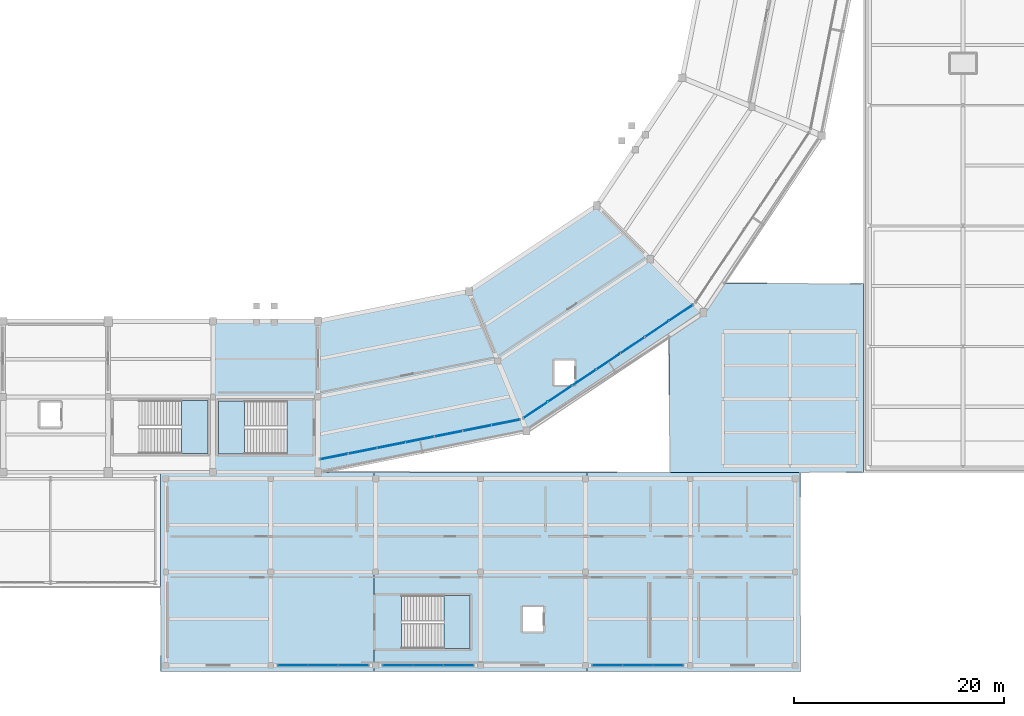
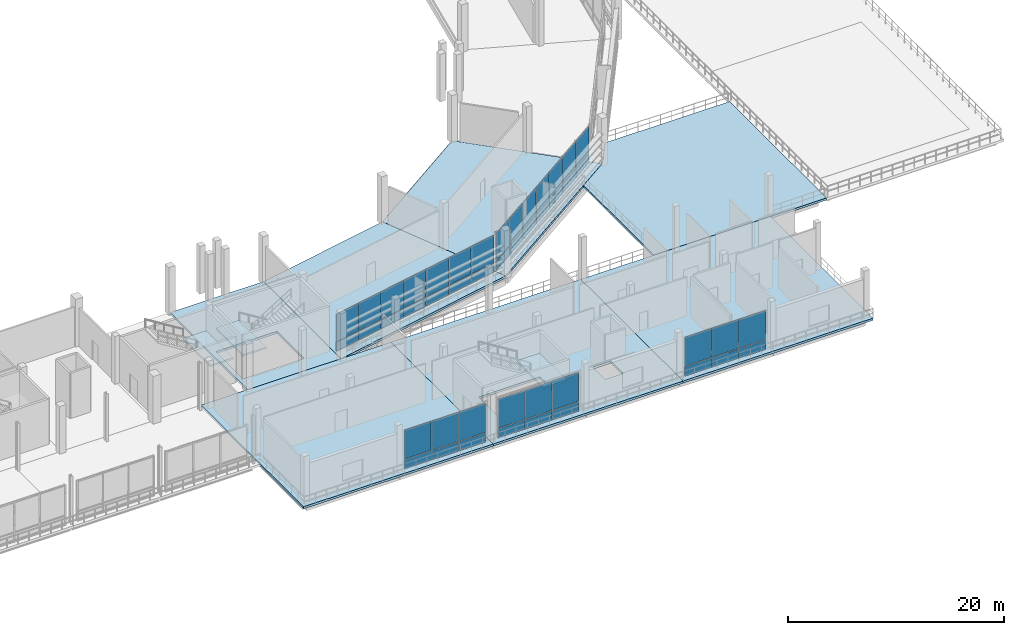
# One storey, part 63 of 111: 46 plates, 10 slabs, 8 elements without a shape of their own.
"""IFC4 building model written with IfcOpenShell, lengths in metres."""

from ifc_helpers import new_model, si_unit, direction, frame, origin, origin_2d, place, context, subcontext, project, spatial, polyline, rectangle, outline, extrude, material, layer, layer_set, type_object, element, aggregate, save


model = new_model("IFC4")

# Units and contexts
model_context = context("Model", 3, precision=1e-05, world=origin(), true_north=direction((0.0, 1.0)))
body_context = subcontext(model_context, "Body", "Model", "MODEL_VIEW")
ifc_project = project(units=[si_unit("LENGTHUNIT", "METRE"), si_unit("AREAUNIT", "SQUARE_METRE"), si_unit("VOLUMEUNIT", "CUBIC_METRE"), si_unit("PLANEANGLEUNIT", "RADIAN"), si_unit("MASSUNIT", "GRAM", prefix="KILO")], contexts=[model_context])

# Site, building, storey
site_placement = place(None, origin())
site = spatial("IfcSite", under=ifc_project, at=site_placement, CompositionType="ELEMENT")
building_placement = place(site_placement, origin())
building = spatial("IfcBuilding", under=site, at=building_placement, Name="Candeia Ridge Stadium", CompositionType="ELEMENT")
storey_placement = place(building_placement, frame((0.0, 0.0, 16.199951171875)))
storey = spatial("IfcBuildingStorey", under=building, at=storey_placement, Name="L03", CompositionType="ELEMENT", Elevation=16.199951171875)

# Stair, slab
ifc_material_1 = material(Name="Concrete C40/50", Category="concrete")
stair_type = type_object("IfcStairType", Name="Enclosed Core Half-Turn Stair 2450", PredefinedType="HALF_TURN_STAIR", material=ifc_material_1)
stair_1_placement = place(storey_placement, origin())
stair_1 = element("IfcStair", 1, at=stair_1_placement, inside=storey, type_object=stair_type, Name="L03 Enclosed exit stair ST03", PredefinedType="HALF_TURN_STAIR")
ifc_layer_1 = layer(ifc_material_1, 0.199951171875, Name="Concrete C40/50", Category="concrete")
ifc_layer_set_1 = layer_set([ifc_layer_1], Name="Concrete C40/50")
slab_type_1 = type_object("IfcSlabType", Name="Core Stair Landing Slab 200", PredefinedType="LANDING", material=ifc_layer_set_1)
slab_1_placement = place(storey_placement, frame((0.0, 0.0, 2.5)))
slab_1 = element("IfcSlab", 2, at=slab_1_placement, type_object=slab_type_1, Name="ST03 landing 1", PredefinedType="LANDING", context=body_context, shape_type="SweptSolid", body=[
    extrude(outline(polyline([(133.989990234375, 25.800048828125), (131.5, 25.800048828125), (131.5, 20.75), (133.989990234375, 20.75), (133.989990234375, 25.800048828125)])), origin(), (0.0, 0.0, 1.0), 0.199951171875),
])
aggregate(stair_1, [slab_1])

stair_2_placement = place(storey_placement, origin())
stair_2 = element("IfcStair", 3, at=stair_2_placement, inside=storey, type_object=stair_type, Name="L03 Enclosed exit stair ST12", PredefinedType="HALF_TURN_STAIR")
slab_2_placement = place(storey_placement, frame((0.0, 0.0, 2.5)))
slab_2 = element("IfcSlab", 4, at=slab_2_placement, type_object=slab_type_1, Name="ST12 landing 1", PredefinedType="LANDING", context=body_context, shape_type="SweptSolid", body=[
    extrude(outline(polyline([(128.010009765625, 20.800048828125), (130.5, 20.800048828125), (130.5, 25.85009765625), (128.010009765625, 25.85009765625), (128.010009765625, 20.800048828125)])), origin(), (0.0, 0.0, 1.0), 0.199951171875),
])
aggregate(stair_2, [slab_2])

stair_3_placement = place(storey_placement, origin())
stair_3 = element("IfcStair", 5, at=stair_3_placement, inside=storey, type_object=stair_type, Name="L03 Enclosed exit stair ST14", PredefinedType="HALF_TURN_STAIR")
slab_3_placement = place(storey_placement, frame((0.0, 0.0, 2.5)))
slab_3 = element("IfcSlab", 6, at=slab_3_placement, type_object=slab_type_1, Name="ST14 landing 1", PredefinedType="LANDING", context=body_context, shape_type="SweptSolid", body=[
    extrude(outline(polyline([(153.010009765625, 2.199951171875), (155.5, 2.199951171875), (155.5, 7.25), (153.010009765625, 7.25), (153.010009765625, 2.199951171875)])), origin(), (0.0, 0.0, 1.0), 0.199951171875),
])
aggregate(stair_3, [slab_3])

# Slabs
ifc_layer_2 = layer(ifc_material_1, 0.25, Name="Concrete C40/50", Category="concrete")
ifc_layer_set_2 = layer_set([ifc_layer_2], Name="Concrete C40/50")
slab_type_2 = type_object("IfcSlabType", Name="Hospitality & Museum Slab 250", PredefinedType="FLOOR", material=ifc_layer_set_2)
slab_4_placement = place(storey_placement, frame((0.0, 0.0, -0.25)))
element("IfcSlab", 7, at=slab_4_placement, inside=storey, type_object=slab_type_2, Name="Bowl concourse sector slab L03 bay 25 SLB-L03-0133", PredefinedType="FLOOR", context=body_context, shape_type="SweptSolid", body=[
    extrude(outline(polyline([(141.0, 33.39990234375), (141.0, 19.0), (131.0, 19.0), (131.0, 33.39990234375), (141.0, 33.39990234375)]), holes=[polyline([(138.04931640625, 25.800048828125), (131.5, 25.800048828125), (131.5, 20.75), (138.04931640625, 20.75), (138.04931640625, 25.800048828125)])]), origin(), (0.0, 0.0, 1.0), 0.25),
])
slab_5_placement = place(storey_placement, frame((0.0, 0.0, -0.25)))
element("IfcSlab", 8, at=slab_5_placement, inside=storey, type_object=slab_type_2, Name="Bowl concourse sector slab L03 bay 26 SLB-L03-0134", PredefinedType="FLOOR", context=body_context, shape_type="SweptSolid", body=[
    extrude(outline(polyline([(155.388916015625, 36.26220703125), (160.8994140625, 22.958251953125), (141.0, 19.0), (141.0, 33.39990234375), (155.388916015625, 36.26220703125)])), origin(), (0.0, 0.0, 1.0), 0.25),
])
slab_6_placement = place(storey_placement, frame((0.0, 0.0, -0.25)))
element("IfcSlab", 9, at=slab_6_placement, inside=storey, type_object=slab_type_2, Name="Bowl concourse sector slab L03 bay 27 SLB-L03-0135", PredefinedType="FLOOR", context=body_context, shape_type="SweptSolid", body=[
    extrude(outline(polyline([(167.553955078125, 44.390625), (177.736328125, 34.208251953125), (160.8994140625, 22.958251953125), (155.388916015625, 36.26220703125), (167.553955078125, 44.390625)]), holes=[polyline([(165.449951171875, 27.35009765625), (165.449951171875, 29.64990234375), (163.550048828125, 29.64990234375), (163.550048828125, 27.35009765625), (165.449951171875, 27.35009765625)])]), origin(), (0.0, 0.0, 1.0), 0.25),
])
slab_7_placement = place(storey_placement, frame((0.0, 0.0, -0.25)))
element("IfcSlab", 10, at=slab_7_placement, inside=storey, type_object=slab_type_2, Name="Wing floor slab se_s SLB-L03-0285", PredefinedType="FLOOR", context=body_context, shape_type="SweptSolid", body=[
    extrude(outline(polyline([(126.0, 0.0), (126.0, 19.0), (146.333251953125, 19.0), (146.333251953125, 0.0), (126.0, 0.0)])), origin(), (0.0, 0.0, 1.0), 0.25),
])
slab_8_placement = place(storey_placement, frame((0.0, 0.0, -0.25)))
element("IfcSlab", 11, at=slab_8_placement, inside=storey, type_object=slab_type_2, Name="Wing floor slab se_s SLB-L03-0286", PredefinedType="FLOOR", context=body_context, shape_type="SweptSolid", body=[
    extrude(outline(polyline([(146.333251953125, 0.0), (146.333251953125, 19.0), (166.666748046875, 19.0), (166.666748046875, 0.0), (146.333251953125, 0.0)]), holes=[polyline([(148.95068359375, 2.199951171875), (155.5, 2.199951171875), (155.5, 7.25), (148.95068359375, 7.25), (148.95068359375, 2.199951171875)]), polyline([(162.449951171875, 3.85009765625), (162.449951171875, 6.14990234375), (160.550048828125, 6.14990234375), (160.550048828125, 3.85009765625), (162.449951171875, 3.85009765625)])]), origin(), (0.0, 0.0, 1.0), 0.25),
])
slab_9_placement = place(storey_placement, frame((0.0, 0.0, -0.25)))
element("IfcSlab", 12, at=slab_9_placement, inside=storey, type_object=slab_type_2, Name="Wing floor slab se_s SLB-L03-0287", PredefinedType="FLOOR", context=body_context, shape_type="SweptSolid", body=[
    extrude(outline(polyline([(166.666748046875, 0.0), (166.666748046875, 19.0), (187.0, 19.0), (187.0, 0.0), (166.666748046875, 0.0)])), origin(), (0.0, 0.0, 1.0), 0.25),
])
slab_10_placement = place(storey_placement, frame((0.0, 0.0, -0.25)))
element("IfcSlab", 13, at=slab_10_placement, inside=storey, type_object=slab_type_2, Name="Wing floor slab sp_se SLB-L03-0296", PredefinedType="FLOOR", context=body_context, shape_type="SweptSolid", body=[
    extrude(outline(polyline([(193.0, 19.0), (174.5, 19.0), (174.5, 32.039794921875), (177.772216796875, 34.226318359375), (177.772705078125, 34.2265625), (177.773193359375, 34.226806640625), (177.7734375, 34.227294921875), (177.773681640625, 34.227783203125), (179.626220703125, 37.0), (193.0, 37.0), (193.0, 19.0)])), origin(), (0.0, 0.0, 1.0), 0.25),
])

# Curtain wall, plates
ifc_material_2 = material(Name="Aluminium Anodized Warm Bronze", Category="aluminium")
curtain_wall_type_1 = type_object("IfcCurtainWallType", Name="Concourse Recessed Unitised Curtain Wall", PredefinedType="NOTDEFINED", material=ifc_material_2)
curtain_wall_1_placement = place(storey_placement, origin())
curtain_wall_1 = element("IfcCurtainWall", 14, at=curtain_wall_1_placement, inside=storey, type_object=curtain_wall_type_1, Name="Unitised curtain wall CW-BWL-L03-25", PredefinedType="NOTDEFINED")
ifc_material_3 = material(Name="Aluminium Insulated Spandrel", Category="aluminium")
ifc_layer_3 = layer(ifc_material_3, 0.06494140625, Name="Aluminium Insulated Spandrel", Category="aluminium")
ifc_layer_set_3 = layer_set([ifc_layer_3], Name="Aluminium Insulated Spandrel")
plate_type_1 = type_object("IfcPlateType", Name="Insulated Bronze Spandrel Panel SP1", PredefinedType="CURTAIN_PANEL", material=ifc_layer_set_3)
plate_1_placement = place(storey_placement, frame((142.539794921875, 20.50634765625, 0.0400390625), z_axis=(0.0, 0.0, 1.0), x_axis=(0.980785280696, 0.195090320544, 0.0)))
plate_1 = element("IfcPlate", 15, at=plate_1_placement, type_object=plate_type_1, Name="Curtain wall spandrel panel CW-BWL-L03-25-SP0", PredefinedType="CURTAIN_PANEL", context=body_context, shape_type="SweptSolid", body=[
    extrude(rectangle(XDim=2.710205078125, YDim=0.06494140625, at=origin_2d()), origin(), (0.0, 0.0, 1.0), 0.981201171875),
])
plate_2_placement = place(storey_placement, frame((145.2666015625, 21.048583984375, 0.0400390625), z_axis=(0.0, 0.0, 1.0), x_axis=(0.980785280696, 0.195090320544, 0.0)))
plate_2 = element("IfcPlate", 16, at=plate_2_placement, type_object=plate_type_1, Name="Curtain wall spandrel panel CW-BWL-L03-25-SP1", PredefinedType="CURTAIN_PANEL", context=body_context, shape_type="SweptSolid", body=[
    extrude(rectangle(XDim=2.710205078125, YDim=0.06494140625, at=origin_2d()), origin(), (0.0, 0.0, 1.0), 0.981201171875),
])
plate_3_placement = place(storey_placement, frame((147.993408203125, 21.591064453125, 0.0400390625), z_axis=(0.0, 0.0, 1.0), x_axis=(0.980785280696, 0.195090320544, 0.0)))
plate_3 = element("IfcPlate", 17, at=plate_3_placement, type_object=plate_type_1, Name="Curtain wall spandrel panel CW-BWL-L03-25-SP2", PredefinedType="CURTAIN_PANEL", context=body_context, shape_type="SweptSolid", body=[
    extrude(rectangle(XDim=2.710205078125, YDim=0.06494140625, at=origin_2d()), origin(), (0.0, 0.0, 1.0), 0.981201171875),
])
plate_4_placement = place(storey_placement, frame((150.72021484375, 22.13330078125, 0.0400390625), z_axis=(0.0, 0.0, 1.0), x_axis=(0.980785280696, 0.195090320544, 0.0)))
plate_4 = element("IfcPlate", 18, at=plate_4_placement, type_object=plate_type_1, Name="Curtain wall spandrel panel CW-BWL-L03-25-SP3", PredefinedType="CURTAIN_PANEL", context=body_context, shape_type="SweptSolid", body=[
    extrude(rectangle(XDim=2.710205078125, YDim=0.06494140625, at=origin_2d()), origin(), (0.0, 0.0, 1.0), 0.981201171875),
])
plate_5_placement = place(storey_placement, frame((153.447021484375, 22.67578125, 0.0400390625), z_axis=(0.0, 0.0, 1.0), x_axis=(0.980785280696, 0.195090320544, 0.0)))
plate_5 = element("IfcPlate", 19, at=plate_5_placement, type_object=plate_type_1, Name="Curtain wall spandrel panel CW-BWL-L03-25-SP4", PredefinedType="CURTAIN_PANEL", context=body_context, shape_type="SweptSolid", body=[
    extrude(rectangle(XDim=2.710205078125, YDim=0.06494140625, at=origin_2d()), origin(), (0.0, 0.0, 1.0), 0.981201171875),
])
plate_6_placement = place(storey_placement, frame((156.173583984375, 23.21826171875, 0.0400390625), z_axis=(0.0, 0.0, 1.0), x_axis=(0.980785280696, 0.195090320544, 0.0)))
plate_6 = element("IfcPlate", 20, at=plate_6_placement, type_object=plate_type_1, Name="Curtain wall spandrel panel CW-BWL-L03-25-SP5", PredefinedType="CURTAIN_PANEL", context=body_context, shape_type="SweptSolid", body=[
    extrude(rectangle(XDim=2.710205078125, YDim=0.06494140625, at=origin_2d()), origin(), (0.0, 0.0, 1.0), 0.981201171875),
])
plate_7_placement = place(storey_placement, frame((158.900390625, 23.760498046875, 0.0400390625), z_axis=(0.0, 0.0, 1.0), x_axis=(0.980785280696, 0.195090320544, 0.0)))
plate_7 = element("IfcPlate", 21, at=plate_7_placement, type_object=plate_type_1, Name="Curtain wall spandrel panel CW-BWL-L03-25-SP6", PredefinedType="CURTAIN_PANEL", context=body_context, shape_type="SweptSolid", body=[
    extrude(rectangle(XDim=2.710205078125, YDim=0.06494140625, at=origin_2d()), origin(), (0.0, 0.0, 1.0), 0.981201171875),
])

curtain_wall_2_placement = place(storey_placement, origin())
curtain_wall_2 = element("IfcCurtainWall", 22, at=curtain_wall_2_placement, inside=storey, type_object=curtain_wall_type_1, Name="Unitised curtain wall CW-BWL-L03-26", PredefinedType="NOTDEFINED")
ifc_layer_4 = layer(ifc_material_3, 0.06494140625, Name="Aluminium Insulated Spandrel", Category="aluminium")
ifc_layer_set_4 = layer_set([ifc_layer_4], Name="Aluminium Insulated Spandrel")
plate_type_2 = type_object("IfcPlateType", Name="Insulated Bronze Spandrel Panel SP2", PredefinedType="CURTAIN_PANEL", material=ifc_layer_set_4)
plate_8_placement = place(storey_placement, frame((161.745849609375, 24.939208984375, 0.0400390625), z_axis=(0.0, 0.0, 1.0), x_axis=(0.831468800789, 0.555571447533, 0.0)))
plate_8 = element("IfcPlate", 23, at=plate_8_placement, type_object=plate_type_2, Name="Curtain wall spandrel panel CW-BWL-L03-26-SP0", PredefinedType="CURTAIN_PANEL", context=body_context, shape_type="SweptSolid", body=[
    extrude(rectangle(XDim=2.710205078125, YDim=0.06494140625, at=origin_2d()), origin(), (0.0, 0.0, 1.0), 0.97119140625),
])
plate_9_placement = place(storey_placement, frame((164.057373046875, 26.48388671875, 0.0400390625), z_axis=(0.0, 0.0, 1.0), x_axis=(0.831468800789, 0.555571447533, 0.0)))
plate_9 = element("IfcPlate", 24, at=plate_9_placement, type_object=plate_type_2, Name="Curtain wall spandrel panel CW-BWL-L03-26-SP1", PredefinedType="CURTAIN_PANEL", context=body_context, shape_type="SweptSolid", body=[
    extrude(rectangle(XDim=2.710205078125, YDim=0.06494140625, at=origin_2d()), origin(), (0.0, 0.0, 1.0), 0.97119140625),
])
plate_10_placement = place(storey_placement, frame((166.369140625, 28.0283203125, 0.0400390625), z_axis=(0.0, 0.0, 1.0), x_axis=(0.831468800789, 0.555571447533, 0.0)))
plate_10 = element("IfcPlate", 25, at=plate_10_placement, type_object=plate_type_2, Name="Curtain wall spandrel panel CW-BWL-L03-26-SP2", PredefinedType="CURTAIN_PANEL", context=body_context, shape_type="SweptSolid", body=[
    extrude(rectangle(XDim=2.710205078125, YDim=0.06494140625, at=origin_2d()), origin(), (0.0, 0.0, 1.0), 0.97119140625),
])
plate_11_placement = place(storey_placement, frame((168.6806640625, 29.572998046875, 0.0400390625), z_axis=(0.0, 0.0, 1.0), x_axis=(0.831468800789, 0.555571447533, 0.0)))
plate_11 = element("IfcPlate", 26, at=plate_11_placement, type_object=plate_type_2, Name="Curtain wall spandrel panel CW-BWL-L03-26-SP3", PredefinedType="CURTAIN_PANEL", context=body_context, shape_type="SweptSolid", body=[
    extrude(rectangle(XDim=2.710205078125, YDim=0.06494140625, at=origin_2d()), origin(), (0.0, 0.0, 1.0), 0.97119140625),
])
plate_12_placement = place(storey_placement, frame((170.9921875, 31.117431640625, 0.0400390625), z_axis=(0.0, 0.0, 1.0), x_axis=(0.831468800789, 0.555571447533, 0.0)))
plate_12 = element("IfcPlate", 27, at=plate_12_placement, type_object=plate_type_2, Name="Curtain wall spandrel panel CW-BWL-L03-26-SP4", PredefinedType="CURTAIN_PANEL", context=body_context, shape_type="SweptSolid", body=[
    extrude(rectangle(XDim=2.710205078125, YDim=0.06494140625, at=origin_2d()), origin(), (0.0, 0.0, 1.0), 0.97119140625),
])
plate_13_placement = place(storey_placement, frame((173.303955078125, 32.662109375, 0.0400390625), z_axis=(0.0, 0.0, 1.0), x_axis=(0.831468800789, 0.555571447533, 0.0)))
plate_13 = element("IfcPlate", 28, at=plate_13_placement, type_object=plate_type_2, Name="Curtain wall spandrel panel CW-BWL-L03-26-SP5", PredefinedType="CURTAIN_PANEL", context=body_context, shape_type="SweptSolid", body=[
    extrude(rectangle(XDim=2.710205078125, YDim=0.06494140625, at=origin_2d()), origin(), (0.0, 0.0, 1.0), 0.97119140625),
])
plate_14_placement = place(storey_placement, frame((175.615478515625, 34.206787109375, 0.0400390625), z_axis=(0.0, 0.0, 1.0), x_axis=(0.831468800789, 0.555571447533, 0.0)))
plate_14 = element("IfcPlate", 29, at=plate_14_placement, type_object=plate_type_2, Name="Curtain wall spandrel panel CW-BWL-L03-26-SP6", PredefinedType="CURTAIN_PANEL", context=body_context, shape_type="SweptSolid", body=[
    extrude(rectangle(XDim=2.710205078125, YDim=0.06494140625, at=origin_2d()), origin(), (0.0, 0.0, 1.0), 0.97119140625),
])

curtain_wall_type_2 = type_object("IfcCurtainWallType", Name="Museum & Boulevard Showcase Curtain Wall", PredefinedType="NOTDEFINED", material=ifc_material_2)
curtain_wall_3_placement = place(storey_placement, origin())
curtain_wall_3 = element("IfcCurtainWall", 30, at=curtain_wall_3_placement, inside=storey, type_object=curtain_wall_type_2, Name="Unitised curtain wall CW-WNG-L03-134", PredefinedType="NOTDEFINED")
ifc_layer_5 = layer(ifc_material_3, 0.06494140625, Name="Aluminium Insulated Spandrel", Category="aluminium")
ifc_layer_set_5 = layer_set([ifc_layer_5], Name="Aluminium Insulated Spandrel")
plate_type_3 = type_object("IfcPlateType", Name="Insulated Cedar-Tone Spandrel Panel SP3", PredefinedType="CURTAIN_PANEL", material=ifc_layer_set_5)
plate_15_placement = place(storey_placement, frame((138.606689453125, 0.60009765625, 0.0400390625), z_axis=(0.0, 0.0, 1.0), x_axis=(1.0, 0.0, 0.0)))
plate_15 = element("IfcPlate", 31, at=plate_15_placement, type_object=plate_type_3, Name="Curtain wall spandrel panel CW-WNG-L03-134-SP0", PredefinedType="CURTAIN_PANEL", context=body_context, shape_type="SweptSolid", body=[
    extrude(rectangle(XDim=2.8232421875, YDim=0.06494140625, at=origin_2d()), origin(), (0.0, 0.0, 1.0), 1.02001953125),
])
plate_16_placement = place(storey_placement, frame((141.5, 0.60009765625, 0.0400390625), z_axis=(0.0, 0.0, 1.0), x_axis=(1.0, 0.0, 0.0)))
plate_16 = element("IfcPlate", 32, at=plate_16_placement, type_object=plate_type_3, Name="Curtain wall spandrel panel CW-WNG-L03-134-SP1", PredefinedType="CURTAIN_PANEL", context=body_context, shape_type="SweptSolid", body=[
    extrude(rectangle(XDim=2.8232421875, YDim=0.06494140625, at=origin_2d()), origin(), (0.0, 0.0, 1.0), 1.02001953125),
])
plate_17_placement = place(storey_placement, frame((144.393310546875, 0.60009765625, 0.0400390625), z_axis=(0.0, 0.0, 1.0), x_axis=(1.0, 0.0, 0.0)))
plate_17 = element("IfcPlate", 33, at=plate_17_placement, type_object=plate_type_3, Name="Curtain wall spandrel panel CW-WNG-L03-134-SP2", PredefinedType="CURTAIN_PANEL", context=body_context, shape_type="SweptSolid", body=[
    extrude(rectangle(XDim=2.8232421875, YDim=0.06494140625, at=origin_2d()), origin(), (0.0, 0.0, 1.0), 1.02001953125),
])

curtain_wall_4_placement = place(storey_placement, origin())
curtain_wall_4 = element("IfcCurtainWall", 34, at=curtain_wall_4_placement, inside=storey, type_object=curtain_wall_type_2, Name="Unitised curtain wall CW-WNG-L03-135", PredefinedType="NOTDEFINED")
plate_18_placement = place(storey_placement, frame((148.606689453125, 0.60009765625, 0.0400390625), z_axis=(0.0, 0.0, 1.0), x_axis=(1.0, 0.0, 0.0)))
plate_18 = element("IfcPlate", 35, at=plate_18_placement, type_object=plate_type_3, Name="Curtain wall spandrel panel CW-WNG-L03-135-SP0", PredefinedType="CURTAIN_PANEL", context=body_context, shape_type="SweptSolid", body=[
    extrude(rectangle(XDim=2.8232421875, YDim=0.06494140625, at=origin_2d()), origin(), (0.0, 0.0, 1.0), 1.02001953125),
])
plate_19_placement = place(storey_placement, frame((151.5, 0.60009765625, 0.0400390625), z_axis=(0.0, 0.0, 1.0), x_axis=(1.0, 0.0, 0.0)))
plate_19 = element("IfcPlate", 36, at=plate_19_placement, type_object=plate_type_3, Name="Curtain wall spandrel panel CW-WNG-L03-135-SP1", PredefinedType="CURTAIN_PANEL", context=body_context, shape_type="SweptSolid", body=[
    extrude(rectangle(XDim=2.8232421875, YDim=0.06494140625, at=origin_2d()), origin(), (0.0, 0.0, 1.0), 1.02001953125),
])
plate_20_placement = place(storey_placement, frame((154.393310546875, 0.60009765625, 0.0400390625), z_axis=(0.0, 0.0, 1.0), x_axis=(1.0, 0.0, 0.0)))
plate_20 = element("IfcPlate", 37, at=plate_20_placement, type_object=plate_type_3, Name="Curtain wall spandrel panel CW-WNG-L03-135-SP2", PredefinedType="CURTAIN_PANEL", context=body_context, shape_type="SweptSolid", body=[
    extrude(rectangle(XDim=2.8232421875, YDim=0.06494140625, at=origin_2d()), origin(), (0.0, 0.0, 1.0), 1.02001953125),
])

curtain_wall_5_placement = place(storey_placement, origin())
curtain_wall_5 = element("IfcCurtainWall", 38, at=curtain_wall_5_placement, inside=storey, type_object=curtain_wall_type_2, Name="Unitised curtain wall CW-WNG-L03-136", PredefinedType="NOTDEFINED")
plate_21_placement = place(storey_placement, frame((168.606689453125, 0.60009765625, 0.0400390625), z_axis=(0.0, 0.0, 1.0), x_axis=(1.0, 0.0, 0.0)))
plate_21 = element("IfcPlate", 39, at=plate_21_placement, type_object=plate_type_3, Name="Curtain wall spandrel panel CW-WNG-L03-136-SP0", PredefinedType="CURTAIN_PANEL", context=body_context, shape_type="SweptSolid", body=[
    extrude(rectangle(XDim=2.8232421875, YDim=0.06494140625, at=origin_2d()), origin(), (0.0, 0.0, 1.0), 1.02001953125),
])
plate_22_placement = place(storey_placement, frame((171.5, 0.60009765625, 0.0400390625), z_axis=(0.0, 0.0, 1.0), x_axis=(1.0, 0.0, 0.0)))
plate_22 = element("IfcPlate", 40, at=plate_22_placement, type_object=plate_type_3, Name="Curtain wall spandrel panel CW-WNG-L03-136-SP1", PredefinedType="CURTAIN_PANEL", context=body_context, shape_type="SweptSolid", body=[
    extrude(rectangle(XDim=2.8232421875, YDim=0.06494140625, at=origin_2d()), origin(), (0.0, 0.0, 1.0), 1.02001953125),
])
plate_23_placement = place(storey_placement, frame((174.393310546875, 0.60009765625, 0.0400390625), z_axis=(0.0, 0.0, 1.0), x_axis=(1.0, 0.0, 0.0)))
plate_23 = element("IfcPlate", 41, at=plate_23_placement, type_object=plate_type_3, Name="Curtain wall spandrel panel CW-WNG-L03-136-SP2", PredefinedType="CURTAIN_PANEL", context=body_context, shape_type="SweptSolid", body=[
    extrude(rectangle(XDim=2.8232421875, YDim=0.06494140625, at=origin_2d()), origin(), (0.0, 0.0, 1.0), 1.02001953125),
])

# Plate
ifc_material_4 = material(Name="Tempered Low-E Double Glazing", Category="glass")
ifc_layer_6 = layer(ifc_material_4, 0.035888671875, Name="Tempered Low-E Double Glazing", Category="glass")
ifc_layer_set_6 = layer_set([ifc_layer_6], Name="Tempered Low-E Double Glazing")
plate_type_4 = type_object("IfcPlateType", Name="Pavilion Panorama Glass Panel GP4", PredefinedType="CURTAIN_PANEL", material=ifc_layer_set_6)
plate_24_placement = place(storey_placement, frame((138.606689453125, 0.60009765625, 1.14013671875), z_axis=(0.0, 0.0, 1.0), x_axis=(1.0, 0.0, 0.0)))
plate_24 = element("IfcPlate", 42, at=plate_24_placement, type_object=plate_type_4, Name="Curtain wall vision glass panel CW-WNG-L03-134-GP0", PredefinedType="CURTAIN_PANEL", context=body_context, shape_type="SweptSolid", body=[
    extrude(rectangle(XDim=2.8232421875, YDim=0.035888671875, at=origin_2d()), origin(), (0.0, 0.0, 1.0), 3.27490234375),
])

plate_25_placement = place(storey_placement, frame((141.5, 0.60009765625, 1.14013671875), z_axis=(0.0, 0.0, 1.0), x_axis=(1.0, 0.0, 0.0)))
plate_25 = element("IfcPlate", 43, at=plate_25_placement, type_object=plate_type_4, Name="Curtain wall vision glass panel CW-WNG-L03-134-GP1", PredefinedType="CURTAIN_PANEL", context=body_context, shape_type="SweptSolid", body=[
    extrude(rectangle(XDim=2.8232421875, YDim=0.035888671875, at=origin_2d()), origin(), (0.0, 0.0, 1.0), 3.27490234375),
])

plate_26_placement = place(storey_placement, frame((144.393310546875, 0.60009765625, 1.14013671875), z_axis=(0.0, 0.0, 1.0), x_axis=(1.0, 0.0, 0.0)))
plate_26 = element("IfcPlate", 44, at=plate_26_placement, type_object=plate_type_4, Name="Curtain wall vision glass panel CW-WNG-L03-134-GP2", PredefinedType="CURTAIN_PANEL", context=body_context, shape_type="SweptSolid", body=[
    extrude(rectangle(XDim=2.8232421875, YDim=0.035888671875, at=origin_2d()), origin(), (0.0, 0.0, 1.0), 3.27490234375),
])

aggregate(curtain_wall_3, [plate_15, plate_24, plate_16, plate_25, plate_17, plate_26])

plate_27_placement = place(storey_placement, frame((148.606689453125, 0.60009765625, 1.14013671875), z_axis=(0.0, 0.0, 1.0), x_axis=(1.0, 0.0, 0.0)))
plate_27 = element("IfcPlate", 45, at=plate_27_placement, type_object=plate_type_4, Name="Curtain wall vision glass panel CW-WNG-L03-135-GP0", PredefinedType="CURTAIN_PANEL", context=body_context, shape_type="SweptSolid", body=[
    extrude(rectangle(XDim=2.8232421875, YDim=0.035888671875, at=origin_2d()), origin(), (0.0, 0.0, 1.0), 3.27490234375),
])

plate_28_placement = place(storey_placement, frame((151.5, 0.60009765625, 1.14013671875), z_axis=(0.0, 0.0, 1.0), x_axis=(1.0, 0.0, 0.0)))
plate_28 = element("IfcPlate", 46, at=plate_28_placement, type_object=plate_type_4, Name="Curtain wall vision glass panel CW-WNG-L03-135-GP1", PredefinedType="CURTAIN_PANEL", context=body_context, shape_type="SweptSolid", body=[
    extrude(rectangle(XDim=2.8232421875, YDim=0.035888671875, at=origin_2d()), origin(), (0.0, 0.0, 1.0), 3.27490234375),
])

plate_29_placement = place(storey_placement, frame((154.393310546875, 0.60009765625, 1.14013671875), z_axis=(0.0, 0.0, 1.0), x_axis=(1.0, 0.0, 0.0)))
plate_29 = element("IfcPlate", 47, at=plate_29_placement, type_object=plate_type_4, Name="Curtain wall vision glass panel CW-WNG-L03-135-GP2", PredefinedType="CURTAIN_PANEL", context=body_context, shape_type="SweptSolid", body=[
    extrude(rectangle(XDim=2.8232421875, YDim=0.035888671875, at=origin_2d()), origin(), (0.0, 0.0, 1.0), 3.27490234375),
])

aggregate(curtain_wall_4, [plate_18, plate_27, plate_19, plate_28, plate_20, plate_29])

plate_30_placement = place(storey_placement, frame((168.606689453125, 0.60009765625, 1.14013671875), z_axis=(0.0, 0.0, 1.0), x_axis=(1.0, 0.0, 0.0)))
plate_30 = element("IfcPlate", 48, at=plate_30_placement, type_object=plate_type_4, Name="Curtain wall vision glass panel CW-WNG-L03-136-GP0", PredefinedType="CURTAIN_PANEL", context=body_context, shape_type="SweptSolid", body=[
    extrude(rectangle(XDim=2.8232421875, YDim=0.035888671875, at=origin_2d()), origin(), (0.0, 0.0, 1.0), 3.27490234375),
])

plate_31_placement = place(storey_placement, frame((171.5, 0.60009765625, 1.14013671875), z_axis=(0.0, 0.0, 1.0), x_axis=(1.0, 0.0, 0.0)))
plate_31 = element("IfcPlate", 49, at=plate_31_placement, type_object=plate_type_4, Name="Curtain wall vision glass panel CW-WNG-L03-136-GP1", PredefinedType="CURTAIN_PANEL", context=body_context, shape_type="SweptSolid", body=[
    extrude(rectangle(XDim=2.8232421875, YDim=0.035888671875, at=origin_2d()), origin(), (0.0, 0.0, 1.0), 3.27490234375),
])

plate_32_placement = place(storey_placement, frame((174.393310546875, 0.60009765625, 1.14013671875), z_axis=(0.0, 0.0, 1.0), x_axis=(1.0, 0.0, 0.0)))
plate_32 = element("IfcPlate", 50, at=plate_32_placement, type_object=plate_type_4, Name="Curtain wall vision glass panel CW-WNG-L03-136-GP2", PredefinedType="CURTAIN_PANEL", context=body_context, shape_type="SweptSolid", body=[
    extrude(rectangle(XDim=2.8232421875, YDim=0.035888671875, at=origin_2d()), origin(), (0.0, 0.0, 1.0), 3.27490234375),
])

aggregate(curtain_wall_5, [plate_21, plate_30, plate_22, plate_31, plate_23, plate_32])

ifc_layer_7 = layer(ifc_material_4, 0.035888671875, Name="Tempered Low-E Double Glazing", Category="glass")
ifc_layer_set_7 = layer_set([ifc_layer_7], Name="Tempered Low-E Double Glazing")
plate_type_5 = type_object("IfcPlateType", Name="Solar Control Vision Glass Panel GP7", PredefinedType="CURTAIN_PANEL", material=ifc_layer_set_7)
plate_33_placement = place(storey_placement, frame((142.539794921875, 20.50634765625, 1.10107421875), z_axis=(0.0, 0.0, 1.0), x_axis=(0.980785280696, 0.195090320544, 0.0)))
plate_33 = element("IfcPlate", 51, at=plate_33_placement, type_object=plate_type_5, Name="Curtain wall vision glass panel CW-BWL-L03-25-GP0", PredefinedType="CURTAIN_PANEL", context=body_context, shape_type="SweptSolid", body=[
    extrude(rectangle(XDim=2.710205078125, YDim=0.035888671875, at=origin_2d()), origin(), (0.0, 0.0, 1.0), 3.103759765625),
])

plate_34_placement = place(storey_placement, frame((145.2666015625, 21.048583984375, 1.10107421875), z_axis=(0.0, 0.0, 1.0), x_axis=(0.980785280696, 0.195090320544, 0.0)))
plate_34 = element("IfcPlate", 52, at=plate_34_placement, type_object=plate_type_5, Name="Curtain wall vision glass panel CW-BWL-L03-25-GP1", PredefinedType="CURTAIN_PANEL", context=body_context, shape_type="SweptSolid", body=[
    extrude(rectangle(XDim=2.710205078125, YDim=0.035888671875, at=origin_2d()), origin(), (0.0, 0.0, 1.0), 3.103759765625),
])

plate_35_placement = place(storey_placement, frame((147.993408203125, 21.591064453125, 1.10107421875), z_axis=(0.0, 0.0, 1.0), x_axis=(0.980785280696, 0.195090320544, 0.0)))
plate_35 = element("IfcPlate", 53, at=plate_35_placement, type_object=plate_type_5, Name="Curtain wall vision glass panel CW-BWL-L03-25-GP2", PredefinedType="CURTAIN_PANEL", context=body_context, shape_type="SweptSolid", body=[
    extrude(rectangle(XDim=2.710205078125, YDim=0.035888671875, at=origin_2d()), origin(), (0.0, 0.0, 1.0), 3.103759765625),
])

plate_36_placement = place(storey_placement, frame((150.72021484375, 22.13330078125, 1.10107421875), z_axis=(0.0, 0.0, 1.0), x_axis=(0.980785280696, 0.195090320544, 0.0)))
plate_36 = element("IfcPlate", 54, at=plate_36_placement, type_object=plate_type_5, Name="Curtain wall vision glass panel CW-BWL-L03-25-GP3", PredefinedType="CURTAIN_PANEL", context=body_context, shape_type="SweptSolid", body=[
    extrude(rectangle(XDim=2.710205078125, YDim=0.035888671875, at=origin_2d()), origin(), (0.0, 0.0, 1.0), 3.103759765625),
])

plate_37_placement = place(storey_placement, frame((153.447021484375, 22.67578125, 1.10107421875), z_axis=(0.0, 0.0, 1.0), x_axis=(0.980785280696, 0.195090320544, 0.0)))
plate_37 = element("IfcPlate", 55, at=plate_37_placement, type_object=plate_type_5, Name="Curtain wall vision glass panel CW-BWL-L03-25-GP4", PredefinedType="CURTAIN_PANEL", context=body_context, shape_type="SweptSolid", body=[
    extrude(rectangle(XDim=2.710205078125, YDim=0.035888671875, at=origin_2d()), origin(), (0.0, 0.0, 1.0), 3.103759765625),
])

plate_38_placement = place(storey_placement, frame((156.173583984375, 23.21826171875, 1.10107421875), z_axis=(0.0, 0.0, 1.0), x_axis=(0.980785280696, 0.195090320544, 0.0)))
plate_38 = element("IfcPlate", 56, at=plate_38_placement, type_object=plate_type_5, Name="Curtain wall vision glass panel CW-BWL-L03-25-GP5", PredefinedType="CURTAIN_PANEL", context=body_context, shape_type="SweptSolid", body=[
    extrude(rectangle(XDim=2.710205078125, YDim=0.035888671875, at=origin_2d()), origin(), (0.0, 0.0, 1.0), 3.103759765625),
])

plate_39_placement = place(storey_placement, frame((158.900390625, 23.760498046875, 1.10107421875), z_axis=(0.0, 0.0, 1.0), x_axis=(0.980785280696, 0.195090320544, 0.0)))
plate_39 = element("IfcPlate", 57, at=plate_39_placement, type_object=plate_type_5, Name="Curtain wall vision glass panel CW-BWL-L03-25-GP6", PredefinedType="CURTAIN_PANEL", context=body_context, shape_type="SweptSolid", body=[
    extrude(rectangle(XDim=2.710205078125, YDim=0.035888671875, at=origin_2d()), origin(), (0.0, 0.0, 1.0), 3.103759765625),
])

aggregate(curtain_wall_1, [plate_1, plate_33, plate_2, plate_34, plate_3, plate_35, plate_4, plate_36, plate_5, plate_37, plate_6, plate_38, plate_7, plate_39])

ifc_layer_8 = layer(ifc_material_4, 0.035888671875, Name="Tempered Low-E Double Glazing", Category="glass")
ifc_layer_set_8 = layer_set([ifc_layer_8], Name="Tempered Low-E Double Glazing")
plate_type_6 = type_object("IfcPlateType", Name="Solar Control Vision Glass Panel GP8", PredefinedType="CURTAIN_PANEL", material=ifc_layer_set_8)
plate_40_placement = place(storey_placement, frame((161.745849609375, 24.939208984375, 1.09130859375), z_axis=(0.0, 0.0, 1.0), x_axis=(0.831468800789, 0.555571447533, 0.0)))
plate_40 = element("IfcPlate", 58, at=plate_40_placement, type_object=plate_type_6, Name="Curtain wall vision glass panel CW-BWL-L03-26-GP0", PredefinedType="CURTAIN_PANEL", context=body_context, shape_type="SweptSolid", body=[
    extrude(rectangle(XDim=2.710205078125, YDim=0.035888671875, at=origin_2d()), origin(), (0.0, 0.0, 1.0), 3.07373046875),
])

plate_41_placement = place(storey_placement, frame((164.057373046875, 26.48388671875, 1.09130859375), z_axis=(0.0, 0.0, 1.0), x_axis=(0.831468800789, 0.555571447533, 0.0)))
plate_41 = element("IfcPlate", 59, at=plate_41_placement, type_object=plate_type_6, Name="Curtain wall vision glass panel CW-BWL-L03-26-GP1", PredefinedType="CURTAIN_PANEL", context=body_context, shape_type="SweptSolid", body=[
    extrude(rectangle(XDim=2.710205078125, YDim=0.035888671875, at=origin_2d()), origin(), (0.0, 0.0, 1.0), 3.07373046875),
])

plate_42_placement = place(storey_placement, frame((166.369140625, 28.0283203125, 1.09130859375), z_axis=(0.0, 0.0, 1.0), x_axis=(0.831468800789, 0.555571447533, 0.0)))
plate_42 = element("IfcPlate", 60, at=plate_42_placement, type_object=plate_type_6, Name="Curtain wall vision glass panel CW-BWL-L03-26-GP2", PredefinedType="CURTAIN_PANEL", context=body_context, shape_type="SweptSolid", body=[
    extrude(rectangle(XDim=2.710205078125, YDim=0.035888671875, at=origin_2d()), origin(), (0.0, 0.0, 1.0), 3.07373046875),
])

plate_43_placement = place(storey_placement, frame((168.6806640625, 29.572998046875, 1.09130859375), z_axis=(0.0, 0.0, 1.0), x_axis=(0.831468800789, 0.555571447533, 0.0)))
plate_43 = element("IfcPlate", 61, at=plate_43_placement, type_object=plate_type_6, Name="Curtain wall vision glass panel CW-BWL-L03-26-GP3", PredefinedType="CURTAIN_PANEL", context=body_context, shape_type="SweptSolid", body=[
    extrude(rectangle(XDim=2.710205078125, YDim=0.035888671875, at=origin_2d()), origin(), (0.0, 0.0, 1.0), 3.07373046875),
])

plate_44_placement = place(storey_placement, frame((170.9921875, 31.117431640625, 1.09130859375), z_axis=(0.0, 0.0, 1.0), x_axis=(0.831468800789, 0.555571447533, 0.0)))
plate_44 = element("IfcPlate", 62, at=plate_44_placement, type_object=plate_type_6, Name="Curtain wall vision glass panel CW-BWL-L03-26-GP4", PredefinedType="CURTAIN_PANEL", context=body_context, shape_type="SweptSolid", body=[
    extrude(rectangle(XDim=2.710205078125, YDim=0.035888671875, at=origin_2d()), origin(), (0.0, 0.0, 1.0), 3.07373046875),
])

plate_45_placement = place(storey_placement, frame((173.303955078125, 32.662109375, 1.09130859375), z_axis=(0.0, 0.0, 1.0), x_axis=(0.831468800789, 0.555571447533, 0.0)))
plate_45 = element("IfcPlate", 63, at=plate_45_placement, type_object=plate_type_6, Name="Curtain wall vision glass panel CW-BWL-L03-26-GP5", PredefinedType="CURTAIN_PANEL", context=body_context, shape_type="SweptSolid", body=[
    extrude(rectangle(XDim=2.710205078125, YDim=0.035888671875, at=origin_2d()), origin(), (0.0, 0.0, 1.0), 3.07373046875),
])

plate_46_placement = place(storey_placement, frame((175.615478515625, 34.206787109375, 1.09130859375), z_axis=(0.0, 0.0, 1.0), x_axis=(0.831468800789, 0.555571447533, 0.0)))
plate_46 = element("IfcPlate", 64, at=plate_46_placement, type_object=plate_type_6, Name="Curtain wall vision glass panel CW-BWL-L03-26-GP6", PredefinedType="CURTAIN_PANEL", context=body_context, shape_type="SweptSolid", body=[
    extrude(rectangle(XDim=2.710205078125, YDim=0.035888671875, at=origin_2d()), origin(), (0.0, 0.0, 1.0), 3.07373046875),
])

aggregate(curtain_wall_2, [plate_8, plate_40, plate_9, plate_41, plate_10, plate_42, plate_11, plate_43, plate_12, plate_44, plate_13, plate_45, plate_14, plate_46])

save(model, "model.ifc")
